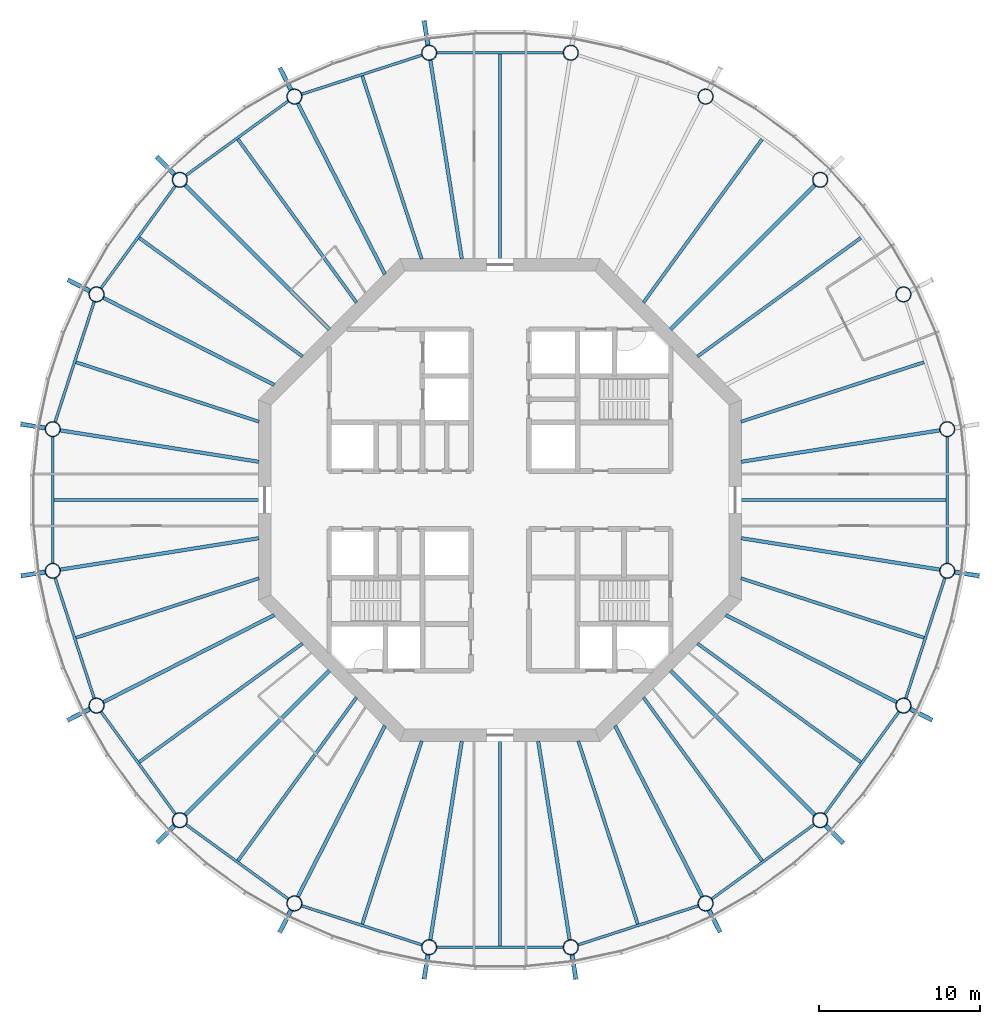
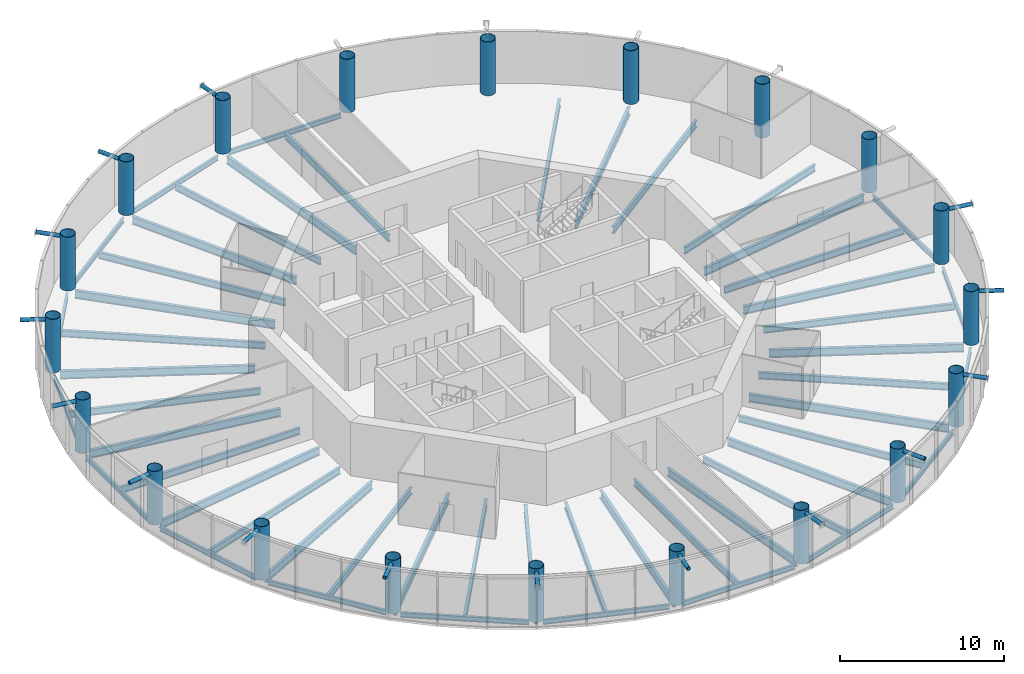
# One storey, part 1 of 16: 52 beams, 20 columns, 15 members.
"""IFC4 building model written with IfcOpenShell, lengths in metres."""

from ifc_helpers import new_model, si_unit, direction, frame, origin, origin_2d, place, context, subcontext, project, spatial, circle, hollow_circle, i_section, extrude, material, material_profile, profile_set, type_object, element, save


model = new_model("IFC4")

# Units and contexts
model_context = context("Model", 3, precision=1e-05, world=origin(), true_north=direction((0.0, 1.0)))
body_context = subcontext(model_context, "Body", "Model", "MODEL_VIEW")
ifc_project = project(units=[si_unit("LENGTHUNIT", "METRE"), si_unit("AREAUNIT", "SQUARE_METRE"), si_unit("VOLUMEUNIT", "CUBIC_METRE"), si_unit("PLANEANGLEUNIT", "RADIAN"), si_unit("MASSUNIT", "GRAM", prefix="KILO")], contexts=[model_context])

# Site, building, storey
site_placement = place(None, origin())
site = spatial("IfcSite", under=ifc_project, at=site_placement, CompositionType="ELEMENT")
building_placement = place(site_placement, origin())
building = spatial("IfcBuilding", under=site, at=building_placement, Name="Entoto Ring Tower", CompositionType="ELEMENT")
storey_placement = place(building_placement, frame((0.0, 0.0, 326.0)))
storey = spatial("IfcBuildingStorey", under=building, at=storey_placement, Name="L75", CompositionType="ELEMENT", Elevation=326.0)

# Columns
ifc_material_1 = material(Name="Steel S355", Category="steel")
ifc_material_profile_1 = material_profile(ifc_material_1, hollow_circle(Radius=0.47509765625, WallThickness=0.034912109375, at=origin_2d()), Name="CHS 950 x 35")
ifc_material_2 = material(Name="Concrete C60/75", Category="concrete")
ifc_material_profile_2 = material_profile(ifc_material_2, circle(Radius=0.43994140625, at=origin_2d()), Name="Concrete C60/75 infill")
ifc_profile_set_1 = profile_set([ifc_material_profile_1, ifc_material_profile_2], Name="Steel S355")
column_type = type_object("IfcColumnType", Name="Ring column 950 x 35 concrete-filled tube", PredefinedType="COLUMN", material=ifc_profile_set_1)
for number, where, z_axis, x_axis, name in (
    (1, (117.754150390625, 84.395751953125, 0.0), (0.0, 0.0, 1.0), (1.0, 0.0, 0.0), "RC5 R01"),
    (2, (115.037353515625, 92.757080078125, 0.0), (0.0, 0.0, 1.0), (1.0, 0.0, 0.0), "RC5 R02"),
    (3, (109.86962890625, 99.86962890625, 0.0), (0.0, 0.0, 1.0), (1.0, 0.0, 0.0), "RC5 R03"),
    (4, (102.757080078125, 105.037353515625, 0.0), (0.0, 0.0, 1.0), (1.0, 0.0, 0.0), "RC5 R04"),
    (5, (94.395751953125, 107.754150390625, 0.0), (0.0, 0.0, 1.0), (1.0, 0.0, 0.0), "RC5 R05"),
    (6, (85.604248046875, 107.754150390625, 0.0), (0.0, 0.0, 1.0), (1.0, 0.0, 0.0), "RC5 R06"),
    (7, (77.242919921875, 105.037353515625, 0.0), (0.0, 0.0, 1.0), (1.0, 0.0, 0.0), "RC5 R07"),
    (8, (70.13037109375, 99.86962890625, 0.0), (0.0, 0.0, 1.0), (1.0, 0.0, 0.0), "RC5 R08"),
    (9, (64.962646484375, 92.757080078125, 0.0), (0.0, 0.0, 1.0), (1.0, 0.0, 0.0), "RC5 R09"),
    (10, (62.245849609375, 84.395751953125, 0.0), (0.0, 0.0, 1.0), (1.0, 0.0, 0.0), "RC5 R10"),
    (11, (62.245849609375, 75.604248046875, 0.0), (0.0, 0.0, 1.0), (1.0, 0.0, 0.0), "RC5 R11"),
    (12, (64.962646484375, 67.242919921875, 0.0), (0.0, 0.0, 1.0), (1.0, 0.0, 0.0), "RC5 R12"),
    (13, (70.13037109375, 60.13037109375, 0.0), (0.0, 0.0, 1.0), (1.0, 0.0, 0.0), "RC5 R13"),
    (14, (77.242919921875, 54.962646484375, 0.0), (0.0, 0.0, 1.0), (1.0, 0.0, 0.0), "RC5 R14"),
    (15, (85.604248046875, 52.245849609375, 0.0), (0.0, 0.0, 1.0), (1.0, 0.0, 0.0), "RC5 R15"),
    (16, (94.395751953125, 52.245849609375, 0.0), (0.0, 0.0, 1.0), (1.0, 0.0, 0.0), "RC5 R16"),
    (17, (102.757080078125, 54.962646484375, 0.0), (0.0, 0.0, 1.0), (1.0, 0.0, 0.0), "RC5 R17"),
    (18, (109.86962890625, 60.13037109375, 0.0), (0.0, 0.0, 1.0), (1.0, 0.0, 0.0), "RC5 R18"),
    (19, (115.037353515625, 67.242919921875, 0.0), (0.0, 0.0, 1.0), (1.0, 0.0, 0.0), "RC5 R19"),
    (20, (117.754150390625, 75.604248046875, 0.0), (0.0, 0.0, 1.0), (1.0, 0.0, 0.0), "RC5 R20"),
):
    element("IfcColumn", number, at=place(storey_placement, frame(where, z_axis=z_axis, x_axis=x_axis)), inside=storey, type_object=column_type, Name=name, PredefinedType="COLUMN", context=body_context, shape_type="SweptSolid", body=[
        extrude(hollow_circle(Radius=0.47509765625, WallThickness=0.034912109375, at=origin_2d()), origin(), (0.0, 0.0, 1.0), 4.0),
    ])

# Members
ifc_material_3 = material(Name="Steel S355", Category="steel")
ifc_material_profile_3 = material_profile(ifc_material_3, hollow_circle(Radius=0.136474609375, WallThickness=0.012451171875, at=origin_2d()), Name="CHS 273 x 12.5")
ifc_material_4 = material(Name="Concrete C60/75", Category="concrete")
ifc_material_profile_4 = material_profile(ifc_material_4, circle(Radius=0.1240234375, at=origin_2d()), Name="Concrete C60/75 infill")
ifc_profile_set_2 = profile_set([ifc_material_profile_3, ifc_material_profile_4], Name="Steel S355")
member_type = type_object("IfcMemberType", Name="Diagrid node strut 273 x 12.5", PredefinedType="STRUT", material=ifc_profile_set_2)
for number, where, z_axis, x_axis, name in (
    (21, (85.5361328125, 108.18359375, 3.71337890625), (-0.156451161263, 0.987685696029, 0.0), (-0.987685696029, -0.156451161263, 0.0), "DS2 strut ring 24 06"),
    (22, (77.04541015625, 105.4248046875, 3.71337890625), (-0.45393980222, 0.891032354048, 0.0), (-0.891032354048, -0.45393980222, 0.0), "DS2 strut ring 24 07"),
    (23, (69.82275390625, 100.17724609375, 3.71337890625), (-0.707106781187, 0.707106781187, 0.0), (-0.707106781187, -0.707106781187, 0.0), "DS2 strut ring 24 08"),
    (24, (64.5751953125, 92.95458984375, 3.71337890625), (-0.891032354048, 0.45393980222, 0.0), (-0.45393980222, -0.891032354048, 0.0), "DS2 strut ring 24 09"),
    (25, (61.81640625, 84.4638671875, 3.71337890625), (-0.987685696029, 0.156451161263, 0.0), (-0.156451161263, -0.987685696029, 0.0), "DS2 strut ring 24 10"),
    (26, (61.81640625, 75.5361328125, 3.71337890625), (-0.987685696029, -0.156451161263, 0.0), (0.156451161263, -0.987685696029, 0.0), "DS2 strut ring 24 11"),
    (27, (64.5751953125, 67.04541015625, 3.71337890625), (-0.891032354048, -0.45393980222, 0.0), (0.45393980222, -0.891032354048, 0.0), "DS2 strut ring 24 12"),
    (28, (69.82275390625, 59.82275390625, 3.71337890625), (-0.707106781187, -0.707106781187, 0.0), (0.707106781187, -0.707106781187, 0.0), "DS2 strut ring 24 13"),
    (29, (77.04541015625, 54.5751953125, 3.71337890625), (-0.45393980222, -0.891032354048, 0.0), (0.891032354048, -0.45393980222, 0.0), "DS2 strut ring 24 14"),
    (30, (85.5361328125, 51.81640625, 3.71337890625), (-0.156451161263, -0.987685696029, 0.0), (0.987685696029, -0.156451161263, 0.0), "DS2 strut ring 24 15"),
    (31, (94.4638671875, 51.81640625, 3.71337890625), (0.156451161263, -0.987685696029, 0.0), (0.987685696029, 0.156451161263, 0.0), "DS2 strut ring 24 16"),
    (32, (102.95458984375, 54.5751953125, 3.71337890625), (0.45393980222, -0.891032354048, 0.0), (0.891032354048, 0.45393980222, 0.0), "DS2 strut ring 24 17"),
    (33, (110.17724609375, 59.82275390625, 3.71337890625), (0.707106781187, -0.707106781187, 0.0), (0.707106781187, 0.707106781187, 0.0), "DS2 strut ring 24 18"),
    (34, (115.4248046875, 67.04541015625, 3.71337890625), (0.891032354048, -0.45393980222, 0.0), (0.45393980222, 0.891032354048, 0.0), "DS2 strut ring 24 19"),
    (35, (118.18359375, 75.5361328125, 3.71337890625), (0.987685696029, -0.156451161263, 0.0), (0.156451161263, 0.987685696029, 0.0), "DS2 strut ring 24 20"),
):
    element("IfcMember", number, at=place(storey_placement, frame(where, z_axis=z_axis, x_axis=x_axis)), inside=storey, type_object=member_type, Name=name, PredefinedType="STRUT", context=body_context, shape_type="SweptSolid", body=[
        extrude(hollow_circle(Radius=0.136474609375, WallThickness=0.012451171875, at=origin_2d()), origin(), (0.0, 0.0, 1.0), 1.565185546875),
    ])

# Beams
ifc_material_5 = material(Name="Steel S355", Category="steel")
ifc_material_profile_5 = material_profile(ifc_material_5, i_section(OverallWidth=0.169921875, OverallDepth=0.360107421875, WebThickness=0.008056640625, FlangeThickness=0.0126953125, FilletRadius=0.01806640625, at=origin_2d()), Name="IPE 360")
ifc_profile_set_3 = profile_set([ifc_material_profile_5], Name="Steel S355")
beam_type_1 = type_object("IfcBeamType", Name="Edge beam IPE 360", PredefinedType="SPANDREL", material=ifc_profile_set_3)
for number, where, z_axis, x_axis, name in (
    (36, (93.948486328125, 107.754150390625, -0.330078125), (-1.0, 0.0, 0.0), (0.0, -1.0, 0.0), "Edge beam L75 05"),
    (37, (85.1787109375, 107.61572265625, -0.330078125), (-0.951061101079, -0.309002883506, 0.0), (0.309002883506, -0.951061101079, 0.0), "Edge beam L75 06"),
):
    element("IfcBeam", number, at=place(storey_placement, frame(where, z_axis=z_axis, x_axis=x_axis)), inside=storey, type_object=beam_type_1, Name=name, PredefinedType="SPANDREL", context=body_context, shape_type="SweptSolid", body=[
        extrude(i_section(OverallWidth=0.169921875, OverallDepth=0.360107421875, WebThickness=0.008056640625, FlangeThickness=0.0126953125, FilletRadius=0.01806640625, at=origin_2d()), origin(), (0.0, 0.0, 1.0), 7.89697265625),
    ])
for number, where, z_axis, x_axis, name in (
    (38, (76.881103515625, 104.7744140625, -0.330078125), (-0.809015398073, -0.587787449408, 0.0), (0.587787449408, -0.809015398073, 0.0), "Edge beam L75 07"),
    (39, (69.867431640625, 99.5078125, -0.330078125), (-0.587787449408, -0.809015398073, 0.0), (0.809015398073, -0.587787449408, 0.0), "Edge beam L75 08"),
):
    element("IfcBeam", number, at=place(storey_placement, frame(where, z_axis=z_axis, x_axis=x_axis)), inside=storey, type_object=beam_type_1, Name=name, PredefinedType="SPANDREL", context=body_context, shape_type="SweptSolid", body=[
        extrude(i_section(OverallWidth=0.169921875, OverallDepth=0.360107421875, WebThickness=0.008056640625, FlangeThickness=0.0126953125, FilletRadius=0.01806640625, at=origin_2d()), origin(), (0.0, 0.0, 1.0), 7.897216796875),
    ])
for number, where, z_axis, x_axis, name in (
    (40, (64.824462890625, 92.331787109375, -0.330078125), (-0.309002883506, -0.951061101079, 0.0), (0.951061101079, -0.309002883506, 0.0), "Edge beam L75 09"),
    (41, (62.245849609375, 83.948486328125, -0.330078125), (0.0, -1.0, 0.0), (1.0, 0.0, 0.0), "Edge beam L75 10"),
    (42, (62.38427734375, 75.1787109375, -0.330078125), (0.309002883506, -0.951061101079, 0.0), (0.951061101079, 0.309002883506, 0.0), "Edge beam L75 11"),
):
    element("IfcBeam", number, at=place(storey_placement, frame(where, z_axis=z_axis, x_axis=x_axis)), inside=storey, type_object=beam_type_1, Name=name, PredefinedType="SPANDREL", context=body_context, shape_type="SweptSolid", body=[
        extrude(i_section(OverallWidth=0.169921875, OverallDepth=0.360107421875, WebThickness=0.008056640625, FlangeThickness=0.0126953125, FilletRadius=0.01806640625, at=origin_2d()), origin(), (0.0, 0.0, 1.0), 7.89697265625),
    ])
for number, where, z_axis, x_axis, name in (
    (43, (65.2255859375, 66.881103515625, -0.330078125), (0.587787449408, -0.809015398073, 0.0), (0.809015398073, 0.587787449408, 0.0), "Edge beam L75 12"),
    (44, (70.4921875, 59.867431640625, -0.330078125), (0.809015398073, -0.587787449408, 0.0), (0.587787449408, 0.809015398073, 0.0), "Edge beam L75 13"),
):
    element("IfcBeam", number, at=place(storey_placement, frame(where, z_axis=z_axis, x_axis=x_axis)), inside=storey, type_object=beam_type_1, Name=name, PredefinedType="SPANDREL", context=body_context, shape_type="SweptSolid", body=[
        extrude(i_section(OverallWidth=0.169921875, OverallDepth=0.360107421875, WebThickness=0.008056640625, FlangeThickness=0.0126953125, FilletRadius=0.01806640625, at=origin_2d()), origin(), (0.0, 0.0, 1.0), 7.897216796875),
    ])
for number, where, z_axis, x_axis, name in (
    (45, (77.668212890625, 54.824462890625, -0.330078125), (0.951061101079, -0.309002883506, 0.0), (0.309002883506, 0.951061101079, 0.0), "Edge beam L75 14"),
    (46, (86.051513671875, 52.245849609375, -0.330078125), (1.0, 0.0, 0.0), (0.0, 1.0, 0.0), "Edge beam L75 15"),
    (47, (94.8212890625, 52.38427734375, -0.330078125), (0.951061101079, 0.309002883506, 0.0), (-0.309002883506, 0.951061101079, 0.0), "Edge beam L75 16"),
):
    element("IfcBeam", number, at=place(storey_placement, frame(where, z_axis=z_axis, x_axis=x_axis)), inside=storey, type_object=beam_type_1, Name=name, PredefinedType="SPANDREL", context=body_context, shape_type="SweptSolid", body=[
        extrude(i_section(OverallWidth=0.169921875, OverallDepth=0.360107421875, WebThickness=0.008056640625, FlangeThickness=0.0126953125, FilletRadius=0.01806640625, at=origin_2d()), origin(), (0.0, 0.0, 1.0), 7.89697265625),
    ])
for number, where, z_axis, x_axis, name in (
    (48, (103.118896484375, 55.2255859375, -0.330078125), (0.809015398073, 0.587787449408, 0.0), (-0.587787449408, 0.809015398073, 0.0), "Edge beam L75 17"),
    (49, (110.132568359375, 60.4921875, -0.330078125), (0.587787449408, 0.809015398073, 0.0), (-0.809015398073, 0.587787449408, 0.0), "Edge beam L75 18"),
):
    element("IfcBeam", number, at=place(storey_placement, frame(where, z_axis=z_axis, x_axis=x_axis)), inside=storey, type_object=beam_type_1, Name=name, PredefinedType="SPANDREL", context=body_context, shape_type="SweptSolid", body=[
        extrude(i_section(OverallWidth=0.169921875, OverallDepth=0.360107421875, WebThickness=0.008056640625, FlangeThickness=0.0126953125, FilletRadius=0.01806640625, at=origin_2d()), origin(), (0.0, 0.0, 1.0), 7.897216796875),
    ])
for number, where, z_axis, x_axis, name in (
    (50, (115.175537109375, 67.668212890625, -0.330078125), (0.309002883506, 0.951061101079, 0.0), (-0.951061101079, 0.309002883506, 0.0), "Edge beam L75 19"),
    (51, (117.754150390625, 76.051513671875, -0.330078125), (0.0, 1.0, 0.0), (-1.0, 0.0, 0.0), "Edge beam L75 20"),
):
    element("IfcBeam", number, at=place(storey_placement, frame(where, z_axis=z_axis, x_axis=x_axis)), inside=storey, type_object=beam_type_1, Name=name, PredefinedType="SPANDREL", context=body_context, shape_type="SweptSolid", body=[
        extrude(i_section(OverallWidth=0.169921875, OverallDepth=0.360107421875, WebThickness=0.008056640625, FlangeThickness=0.0126953125, FilletRadius=0.01806640625, at=origin_2d()), origin(), (0.0, 0.0, 1.0), 7.89697265625),
    ])
ifc_material_6 = material(Name="Steel S355", Category="steel")
ifc_material_profile_6 = material_profile(ifc_material_6, i_section(OverallWidth=0.219970703125, OverallDepth=0.60009765625, WebThickness=0.011962890625, FlangeThickness=0.01904296875, FilletRadius=0.02392578125, at=origin_2d()), Name="IPE 600")
ifc_profile_set_4 = profile_set([ifc_material_profile_6], Name="Steel S355")
beam_type_2 = type_object("IfcBeamType", Name="Primary floor beam IPE 600", PredefinedType="BEAM", material=ifc_profile_set_4)
beam_1_placement = place(storey_placement, frame((104.963134765625, 82.369873046875, -0.449951171875), z_axis=(0.987687519796, 0.156439647277, 0.0), x_axis=(-0.156439647277, 0.987687519796, 0.0)))
element("IfcBeam", 52, at=beam_1_placement, inside=storey, type_object=beam_type_2, Name="Primary L75 R01", PredefinedType="BEAM", context=body_context, shape_type="SweptSolid", body=[
    extrude(i_section(OverallWidth=0.219970703125, OverallDepth=0.60009765625, WebThickness=0.011962890625, FlangeThickness=0.01904296875, FilletRadius=0.02392578125, at=origin_2d()), origin(), (0.0, 0.0, 1.0), 12.50830078125),
])
beam_2_placement = place(storey_placement, frame((100.592529296875, 90.592529296875, -0.449951171875), z_axis=(0.707106781187, 0.707106781187, 0.0), x_axis=(-0.707106781187, 0.707106781187, 0.0)))
element("IfcBeam", 53, at=beam_2_placement, inside=storey, type_object=beam_type_2, Name="Primary L75 R03", PredefinedType="BEAM", context=body_context, shape_type="SweptSolid", body=[
    extrude(i_section(OverallWidth=0.219970703125, OverallDepth=0.60009765625, WebThickness=0.011962890625, FlangeThickness=0.01904296875, FilletRadius=0.02392578125, at=origin_2d()), origin(), (0.0, 0.0, 1.0), 12.677978515625),
])
beam_3_placement = place(storey_placement, frame((87.630126953125, 94.963134765625, -0.449951171875), z_axis=(-0.156439647277, 0.987687519796, 0.0), x_axis=(-0.987687519796, -0.156439647277, 0.0)))
element("IfcBeam", 54, at=beam_3_placement, inside=storey, type_object=beam_type_2, Name="Primary L75 R06", PredefinedType="BEAM", context=body_context, shape_type="SweptSolid", body=[
    extrude(i_section(OverallWidth=0.219970703125, OverallDepth=0.60009765625, WebThickness=0.011962890625, FlangeThickness=0.01904296875, FilletRadius=0.02392578125, at=origin_2d()), origin(), (0.0, 0.0, 1.0), 12.50830078125),
])
beam_4_placement = place(storey_placement, frame((82.864990234375, 94.003173828125, -0.449951171875), z_axis=(-0.453988257638, 0.891007666593, 0.0), x_axis=(-0.891007666593, -0.453988257638, 0.0)))
element("IfcBeam", 55, at=beam_4_placement, inside=storey, type_object=beam_type_2, Name="Primary L75 R07", PredefinedType="BEAM", context=body_context, shape_type="SweptSolid", body=[
    extrude(i_section(OverallWidth=0.219970703125, OverallDepth=0.60009765625, WebThickness=0.011962890625, FlangeThickness=0.01904296875, FilletRadius=0.02392578125, at=origin_2d()), origin(), (0.0, 0.0, 1.0), 11.941650390625),
])
beam_5_placement = place(storey_placement, frame((79.407470703125, 90.592529296875, -0.449951171875), z_axis=(-0.707106781187, 0.707106781187, 0.0), x_axis=(-0.707106781187, -0.707106781187, 0.0)))
element("IfcBeam", 56, at=beam_5_placement, inside=storey, type_object=beam_type_2, Name="Primary L75 R08", PredefinedType="BEAM", context=body_context, shape_type="SweptSolid", body=[
    extrude(i_section(OverallWidth=0.219970703125, OverallDepth=0.60009765625, WebThickness=0.011962890625, FlangeThickness=0.01904296875, FilletRadius=0.02392578125, at=origin_2d()), origin(), (0.0, 0.0, 1.0), 12.677978515625),
])
beam_6_placement = place(storey_placement, frame((75.996826171875, 87.135009765625, -0.449951171875), z_axis=(-0.891007666593, 0.453988257638, 0.0), x_axis=(-0.453988257638, -0.891007666593, 0.0)))
element("IfcBeam", 57, at=beam_6_placement, inside=storey, type_object=beam_type_2, Name="Primary L75 R09", PredefinedType="BEAM", context=body_context, shape_type="SweptSolid", body=[
    extrude(i_section(OverallWidth=0.219970703125, OverallDepth=0.60009765625, WebThickness=0.011962890625, FlangeThickness=0.01904296875, FilletRadius=0.02392578125, at=origin_2d()), origin(), (0.0, 0.0, 1.0), 11.941650390625),
])
for number, where, z_axis, x_axis, name in (
    (58, (75.036865234375, 82.369873046875, -0.449951171875), (-0.987687519796, 0.156439647277, 0.0), (-0.156439647277, -0.987687519796, 0.0), "Primary L75 R10"),
    (59, (75.036865234375, 77.630126953125, -0.449951171875), (-0.987687519796, -0.156439647277, 0.0), (0.156439647277, -0.987687519796, 0.0), "Primary L75 R11"),
):
    element("IfcBeam", number, at=place(storey_placement, frame(where, z_axis=z_axis, x_axis=x_axis)), inside=storey, type_object=beam_type_2, Name=name, PredefinedType="BEAM", context=body_context, shape_type="SweptSolid", body=[
        extrude(i_section(OverallWidth=0.219970703125, OverallDepth=0.60009765625, WebThickness=0.011962890625, FlangeThickness=0.01904296875, FilletRadius=0.02392578125, at=origin_2d()), origin(), (0.0, 0.0, 1.0), 12.50830078125),
    ])
beam_7_placement = place(storey_placement, frame((75.996826171875, 72.864990234375, -0.449951171875), z_axis=(-0.891007666593, -0.453988257638, 0.0), x_axis=(0.453988257638, -0.891007666593, 0.0)))
element("IfcBeam", 60, at=beam_7_placement, inside=storey, type_object=beam_type_2, Name="Primary L75 R12", PredefinedType="BEAM", context=body_context, shape_type="SweptSolid", body=[
    extrude(i_section(OverallWidth=0.219970703125, OverallDepth=0.60009765625, WebThickness=0.011962890625, FlangeThickness=0.01904296875, FilletRadius=0.02392578125, at=origin_2d()), origin(), (0.0, 0.0, 1.0), 11.941650390625),
])
beam_8_placement = place(storey_placement, frame((79.407470703125, 69.407470703125, -0.449951171875), z_axis=(-0.707106781187, -0.707106781187, 0.0), x_axis=(0.707106781187, -0.707106781187, 0.0)))
element("IfcBeam", 61, at=beam_8_placement, inside=storey, type_object=beam_type_2, Name="Primary L75 R13", PredefinedType="BEAM", context=body_context, shape_type="SweptSolid", body=[
    extrude(i_section(OverallWidth=0.219970703125, OverallDepth=0.60009765625, WebThickness=0.011962890625, FlangeThickness=0.01904296875, FilletRadius=0.02392578125, at=origin_2d()), origin(), (0.0, 0.0, 1.0), 12.677978515625),
])
beam_9_placement = place(storey_placement, frame((82.864990234375, 65.996826171875, -0.449951171875), z_axis=(-0.453988257638, -0.891007666593, 0.0), x_axis=(0.891007666593, -0.453988257638, 0.0)))
element("IfcBeam", 62, at=beam_9_placement, inside=storey, type_object=beam_type_2, Name="Primary L75 R14", PredefinedType="BEAM", context=body_context, shape_type="SweptSolid", body=[
    extrude(i_section(OverallWidth=0.219970703125, OverallDepth=0.60009765625, WebThickness=0.011962890625, FlangeThickness=0.01904296875, FilletRadius=0.02392578125, at=origin_2d()), origin(), (0.0, 0.0, 1.0), 11.941650390625),
])
for number, where, z_axis, x_axis, name in (
    (63, (87.630126953125, 65.036865234375, -0.449951171875), (-0.156439647277, -0.987687519796, 0.0), (0.987687519796, -0.156439647277, 0.0), "Primary L75 R15"),
    (64, (92.369873046875, 65.036865234375, -0.449951171875), (0.156439647277, -0.987687519796, 0.0), (0.987687519796, 0.156439647277, 0.0), "Primary L75 R16"),
):
    element("IfcBeam", number, at=place(storey_placement, frame(where, z_axis=z_axis, x_axis=x_axis)), inside=storey, type_object=beam_type_2, Name=name, PredefinedType="BEAM", context=body_context, shape_type="SweptSolid", body=[
        extrude(i_section(OverallWidth=0.219970703125, OverallDepth=0.60009765625, WebThickness=0.011962890625, FlangeThickness=0.01904296875, FilletRadius=0.02392578125, at=origin_2d()), origin(), (0.0, 0.0, 1.0), 12.50830078125),
    ])
beam_10_placement = place(storey_placement, frame((97.135009765625, 65.996826171875, -0.449951171875), z_axis=(0.453988257638, -0.891007666593, 0.0), x_axis=(0.891007666593, 0.453988257638, 0.0)))
element("IfcBeam", 65, at=beam_10_placement, inside=storey, type_object=beam_type_2, Name="Primary L75 R17", PredefinedType="BEAM", context=body_context, shape_type="SweptSolid", body=[
    extrude(i_section(OverallWidth=0.219970703125, OverallDepth=0.60009765625, WebThickness=0.011962890625, FlangeThickness=0.01904296875, FilletRadius=0.02392578125, at=origin_2d()), origin(), (0.0, 0.0, 1.0), 11.941650390625),
])
beam_11_placement = place(storey_placement, frame((100.592529296875, 69.407470703125, -0.449951171875), z_axis=(0.707106781187, -0.707106781187, 0.0), x_axis=(0.707106781187, 0.707106781187, 0.0)))
element("IfcBeam", 66, at=beam_11_placement, inside=storey, type_object=beam_type_2, Name="Primary L75 R18", PredefinedType="BEAM", context=body_context, shape_type="SweptSolid", body=[
    extrude(i_section(OverallWidth=0.219970703125, OverallDepth=0.60009765625, WebThickness=0.011962890625, FlangeThickness=0.01904296875, FilletRadius=0.02392578125, at=origin_2d()), origin(), (0.0, 0.0, 1.0), 12.677978515625),
])
beam_12_placement = place(storey_placement, frame((104.003173828125, 72.864990234375, -0.449951171875), z_axis=(0.891007666593, -0.453988257638, 0.0), x_axis=(0.453988257638, 0.891007666593, 0.0)))
element("IfcBeam", 67, at=beam_12_placement, inside=storey, type_object=beam_type_2, Name="Primary L75 R19", PredefinedType="BEAM", context=body_context, shape_type="SweptSolid", body=[
    extrude(i_section(OverallWidth=0.219970703125, OverallDepth=0.60009765625, WebThickness=0.011962890625, FlangeThickness=0.01904296875, FilletRadius=0.02392578125, at=origin_2d()), origin(), (0.0, 0.0, 1.0), 11.941650390625),
])
beam_13_placement = place(storey_placement, frame((104.963134765625, 77.630126953125, -0.449951171875), z_axis=(0.987687519796, -0.156439647277, 0.0), x_axis=(0.156439647277, 0.987687519796, 0.0)))
element("IfcBeam", 68, at=beam_13_placement, inside=storey, type_object=beam_type_2, Name="Primary L75 R20", PredefinedType="BEAM", context=body_context, shape_type="SweptSolid", body=[
    extrude(i_section(OverallWidth=0.219970703125, OverallDepth=0.60009765625, WebThickness=0.011962890625, FlangeThickness=0.01904296875, FilletRadius=0.02392578125, at=origin_2d()), origin(), (0.0, 0.0, 1.0), 12.50830078125),
])
ifc_material_7 = material(Name="Steel S355", Category="steel")
ifc_material_profile_7 = material_profile(ifc_material_7, i_section(OverallWidth=0.199951171875, OverallDepth=0.5, WebThickness=0.01025390625, FlangeThickness=0.01611328125, FilletRadius=0.02099609375, at=origin_2d()), Name="IPE 500")
ifc_profile_set_5 = profile_set([ifc_material_profile_7], Name="Steel S355")
beam_type_3 = type_object("IfcBeamType", Name="Secondary floor beam IPE 500", PredefinedType="JOIST", material=ifc_profile_set_5)
beam_14_placement = place(storey_placement, frame((104.9501953125, 84.857666015625, -0.39990234375), z_axis=(0.951056587506, 0.30901677521, 0.0), x_axis=(-0.30901677521, 0.951056587506, 0.0)))
element("IfcBeam", 69, at=beam_14_placement, inside=storey, type_object=beam_type_3, Name="Secondary beam L75 01", PredefinedType="JOIST", context=body_context, shape_type="SweptSolid", body=[
    extrude(i_section(OverallWidth=0.199951171875, OverallDepth=0.5, WebThickness=0.01025390625, FlangeThickness=0.01611328125, FilletRadius=0.02099609375, at=origin_2d()), origin(), (0.0, 0.0, 1.0), 11.94970703125),
])
for number, where, z_axis, x_axis, name in (
    (70, (102.257568359375, 88.905517578125, -0.39990234375), (0.80901431041, 0.587788946436, 0.0), (-0.587788946436, 0.80901431041, 0.0), "Secondary beam L75 02"),
    (71, (98.905517578125, 92.257568359375, -0.39990234375), (0.587788946436, 0.80901431041, 0.0), (-0.80901431041, 0.587788946436, 0.0), "Secondary beam L75 03"),
):
    element("IfcBeam", number, at=place(storey_placement, frame(where, z_axis=z_axis, x_axis=x_axis)), inside=storey, type_object=beam_type_3, Name=name, PredefinedType="JOIST", context=body_context, shape_type="SweptSolid", body=[
        extrude(i_section(OverallWidth=0.199951171875, OverallDepth=0.5, WebThickness=0.01025390625, FlangeThickness=0.01611328125, FilletRadius=0.02099609375, at=origin_2d()), origin(), (0.0, 0.0, 1.0), 12.51806640625),
    ])
beam_15_placement = place(storey_placement, frame((90.0, 94.97998046875, -0.39990234375), z_axis=(0.0, 1.0, 0.0), x_axis=(-1.0, 0.0, 0.0)))
element("IfcBeam", 72, at=beam_15_placement, inside=storey, type_object=beam_type_3, Name="Secondary beam L75 05", PredefinedType="JOIST", context=body_context, shape_type="SweptSolid", body=[
    extrude(i_section(OverallWidth=0.199951171875, OverallDepth=0.5, WebThickness=0.01025390625, FlangeThickness=0.01611328125, FilletRadius=0.02099609375, at=origin_2d()), origin(), (0.0, 0.0, 1.0), 12.68896484375),
])
beam_16_placement = place(storey_placement, frame((85.142333984375, 94.9501953125, -0.39990234375), z_axis=(-0.30901677521, 0.951056587506, 0.0), x_axis=(-0.951056587506, -0.30901677521, 0.0)))
element("IfcBeam", 73, at=beam_16_placement, inside=storey, type_object=beam_type_3, Name="Secondary beam L75 06", PredefinedType="JOIST", context=body_context, shape_type="SweptSolid", body=[
    extrude(i_section(OverallWidth=0.199951171875, OverallDepth=0.5, WebThickness=0.01025390625, FlangeThickness=0.01611328125, FilletRadius=0.02099609375, at=origin_2d()), origin(), (0.0, 0.0, 1.0), 11.94970703125),
])
for number, where, z_axis, x_axis, name in (
    (74, (81.094482421875, 92.257568359375, -0.39990234375), (-0.587788946436, 0.80901431041, 0.0), (-0.80901431041, -0.587788946436, 0.0), "Secondary beam L75 07"),
    (75, (77.742431640625, 88.905517578125, -0.39990234375), (-0.80901431041, 0.587788946436, 0.0), (-0.587788946436, -0.80901431041, 0.0), "Secondary beam L75 08"),
):
    element("IfcBeam", number, at=place(storey_placement, frame(where, z_axis=z_axis, x_axis=x_axis)), inside=storey, type_object=beam_type_3, Name=name, PredefinedType="JOIST", context=body_context, shape_type="SweptSolid", body=[
        extrude(i_section(OverallWidth=0.199951171875, OverallDepth=0.5, WebThickness=0.01025390625, FlangeThickness=0.01611328125, FilletRadius=0.02099609375, at=origin_2d()), origin(), (0.0, 0.0, 1.0), 12.51806640625),
    ])
beam_17_placement = place(storey_placement, frame((75.0498046875, 84.857666015625, -0.39990234375), z_axis=(-0.951056587506, 0.30901677521, 0.0), x_axis=(-0.30901677521, -0.951056587506, 0.0)))
element("IfcBeam", 76, at=beam_17_placement, inside=storey, type_object=beam_type_3, Name="Secondary beam L75 09", PredefinedType="JOIST", context=body_context, shape_type="SweptSolid", body=[
    extrude(i_section(OverallWidth=0.199951171875, OverallDepth=0.5, WebThickness=0.01025390625, FlangeThickness=0.01611328125, FilletRadius=0.02099609375, at=origin_2d()), origin(), (0.0, 0.0, 1.0), 11.94970703125),
])
beam_18_placement = place(storey_placement, frame((75.02001953125, 80.0, -0.39990234375), z_axis=(-1.0, 0.0, 0.0), x_axis=(0.0, -1.0, 0.0)))
element("IfcBeam", 77, at=beam_18_placement, inside=storey, type_object=beam_type_3, Name="Secondary beam L75 10", PredefinedType="JOIST", context=body_context, shape_type="SweptSolid", body=[
    extrude(i_section(OverallWidth=0.199951171875, OverallDepth=0.5, WebThickness=0.01025390625, FlangeThickness=0.01611328125, FilletRadius=0.02099609375, at=origin_2d()), origin(), (0.0, 0.0, 1.0), 12.68896484375),
])
beam_19_placement = place(storey_placement, frame((75.0498046875, 75.142333984375, -0.39990234375), z_axis=(-0.951056587506, -0.30901677521, 0.0), x_axis=(0.30901677521, -0.951056587506, 0.0)))
element("IfcBeam", 78, at=beam_19_placement, inside=storey, type_object=beam_type_3, Name="Secondary beam L75 11", PredefinedType="JOIST", context=body_context, shape_type="SweptSolid", body=[
    extrude(i_section(OverallWidth=0.199951171875, OverallDepth=0.5, WebThickness=0.01025390625, FlangeThickness=0.01611328125, FilletRadius=0.02099609375, at=origin_2d()), origin(), (0.0, 0.0, 1.0), 11.94970703125),
])
for number, where, z_axis, x_axis, name in (
    (79, (77.742431640625, 71.094482421875, -0.39990234375), (-0.80901431041, -0.587788946436, 0.0), (0.587788946436, -0.80901431041, 0.0), "Secondary beam L75 12"),
    (80, (81.094482421875, 67.742431640625, -0.39990234375), (-0.587788946436, -0.80901431041, 0.0), (0.80901431041, -0.587788946436, 0.0), "Secondary beam L75 13"),
):
    element("IfcBeam", number, at=place(storey_placement, frame(where, z_axis=z_axis, x_axis=x_axis)), inside=storey, type_object=beam_type_3, Name=name, PredefinedType="JOIST", context=body_context, shape_type="SweptSolid", body=[
        extrude(i_section(OverallWidth=0.199951171875, OverallDepth=0.5, WebThickness=0.01025390625, FlangeThickness=0.01611328125, FilletRadius=0.02099609375, at=origin_2d()), origin(), (0.0, 0.0, 1.0), 12.51806640625),
    ])
beam_20_placement = place(storey_placement, frame((85.142333984375, 65.0498046875, -0.39990234375), z_axis=(-0.30901677521, -0.951056587506, 0.0), x_axis=(0.951056587506, -0.30901677521, 0.0)))
element("IfcBeam", 81, at=beam_20_placement, inside=storey, type_object=beam_type_3, Name="Secondary beam L75 14", PredefinedType="JOIST", context=body_context, shape_type="SweptSolid", body=[
    extrude(i_section(OverallWidth=0.199951171875, OverallDepth=0.5, WebThickness=0.01025390625, FlangeThickness=0.01611328125, FilletRadius=0.02099609375, at=origin_2d()), origin(), (0.0, 0.0, 1.0), 11.94970703125),
])
beam_21_placement = place(storey_placement, frame((90.0, 65.02001953125, -0.39990234375), z_axis=(0.0, -1.0, 0.0), x_axis=(1.0, 0.0, 0.0)))
element("IfcBeam", 82, at=beam_21_placement, inside=storey, type_object=beam_type_3, Name="Secondary beam L75 15", PredefinedType="JOIST", context=body_context, shape_type="SweptSolid", body=[
    extrude(i_section(OverallWidth=0.199951171875, OverallDepth=0.5, WebThickness=0.01025390625, FlangeThickness=0.01611328125, FilletRadius=0.02099609375, at=origin_2d()), origin(), (0.0, 0.0, 1.0), 12.68896484375),
])
beam_22_placement = place(storey_placement, frame((94.857666015625, 65.0498046875, -0.39990234375), z_axis=(0.30901677521, -0.951056587506, 0.0), x_axis=(0.951056587506, 0.30901677521, 0.0)))
element("IfcBeam", 83, at=beam_22_placement, inside=storey, type_object=beam_type_3, Name="Secondary beam L75 16", PredefinedType="JOIST", context=body_context, shape_type="SweptSolid", body=[
    extrude(i_section(OverallWidth=0.199951171875, OverallDepth=0.5, WebThickness=0.01025390625, FlangeThickness=0.01611328125, FilletRadius=0.02099609375, at=origin_2d()), origin(), (0.0, 0.0, 1.0), 11.94970703125),
])
for number, where, z_axis, x_axis, name in (
    (84, (98.905517578125, 67.742431640625, -0.39990234375), (0.587788946436, -0.80901431041, 0.0), (0.80901431041, 0.587788946436, 0.0), "Secondary beam L75 17"),
    (85, (102.257568359375, 71.094482421875, -0.39990234375), (0.80901431041, -0.587788946436, 0.0), (0.587788946436, 0.80901431041, 0.0), "Secondary beam L75 18"),
):
    element("IfcBeam", number, at=place(storey_placement, frame(where, z_axis=z_axis, x_axis=x_axis)), inside=storey, type_object=beam_type_3, Name=name, PredefinedType="JOIST", context=body_context, shape_type="SweptSolid", body=[
        extrude(i_section(OverallWidth=0.199951171875, OverallDepth=0.5, WebThickness=0.01025390625, FlangeThickness=0.01611328125, FilletRadius=0.02099609375, at=origin_2d()), origin(), (0.0, 0.0, 1.0), 12.51806640625),
    ])
beam_23_placement = place(storey_placement, frame((104.9501953125, 75.142333984375, -0.39990234375), z_axis=(0.951056587506, -0.30901677521, 0.0), x_axis=(0.30901677521, 0.951056587506, 0.0)))
element("IfcBeam", 86, at=beam_23_placement, inside=storey, type_object=beam_type_3, Name="Secondary beam L75 19", PredefinedType="JOIST", context=body_context, shape_type="SweptSolid", body=[
    extrude(i_section(OverallWidth=0.199951171875, OverallDepth=0.5, WebThickness=0.01025390625, FlangeThickness=0.01611328125, FilletRadius=0.02099609375, at=origin_2d()), origin(), (0.0, 0.0, 1.0), 11.94970703125),
])
beam_24_placement = place(storey_placement, frame((104.97998046875, 80.0, -0.39990234375), z_axis=(1.0, 0.0, 0.0), x_axis=(0.0, 1.0, 0.0)))
element("IfcBeam", 87, at=beam_24_placement, inside=storey, type_object=beam_type_3, Name="Secondary beam L75 20", PredefinedType="JOIST", context=body_context, shape_type="SweptSolid", body=[
    extrude(i_section(OverallWidth=0.199951171875, OverallDepth=0.5, WebThickness=0.01025390625, FlangeThickness=0.01611328125, FilletRadius=0.02099609375, at=origin_2d()), origin(), (0.0, 0.0, 1.0), 12.68896484375),
])

save(model, "model.ifc")
